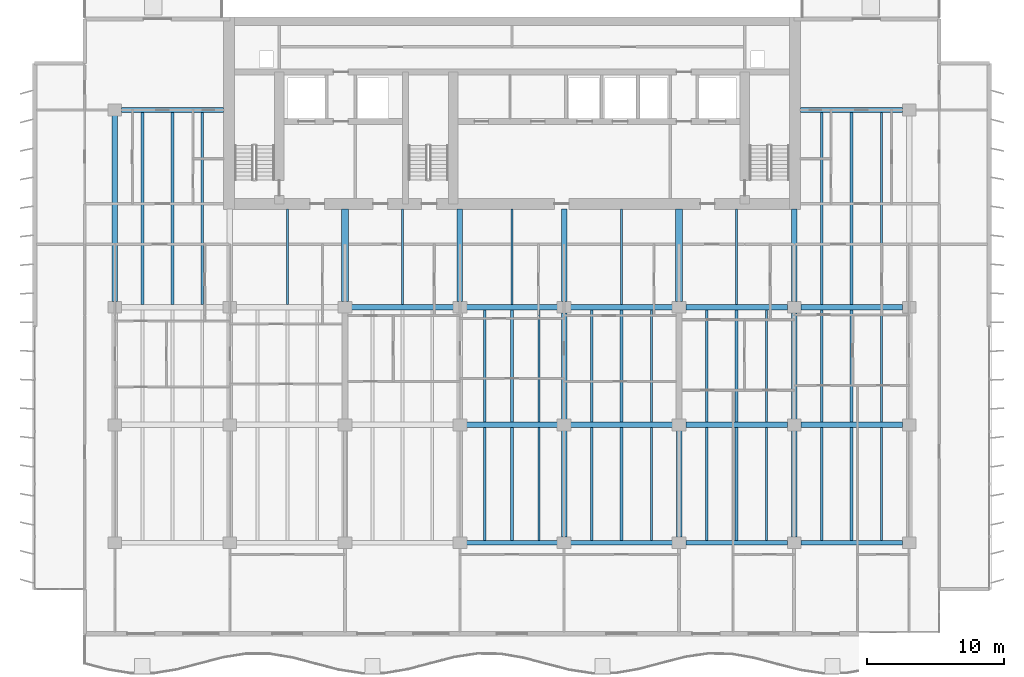
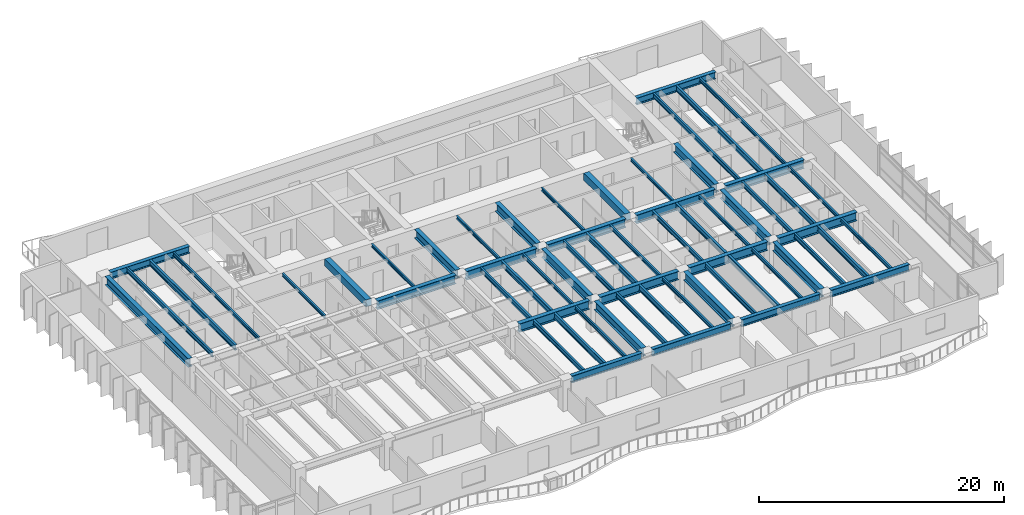
# One storey, part 3 of 15: 61 beams.
"""IFC4 building model written with IfcOpenShell, lengths in metres."""

from ifc_helpers import new_model, si_unit, direction, frame, origin, origin_2d, place, context, subcontext, project, spatial, rectangle, i_section, extrude, material, material_profile, profile_set, type_object, element, save


model = new_model("IFC4")

# Units and contexts
model_context = context("Model", 3, precision=1e-05, world=origin(), true_north=direction((0.0, 1.0)))
body_context = subcontext(model_context, "Body", "Model", "MODEL_VIEW")
ifc_project = project(units=[si_unit("LENGTHUNIT", "METRE"), si_unit("AREAUNIT", "SQUARE_METRE"), si_unit("VOLUMEUNIT", "CUBIC_METRE"), si_unit("PLANEANGLEUNIT", "RADIAN"), si_unit("MASSUNIT", "GRAM", prefix="KILO")], contexts=[model_context])

# Site, building, storey
site_placement = place(None, origin())
site = spatial("IfcSite", under=ifc_project, at=site_placement, CompositionType="ELEMENT")
building_placement = place(site_placement, origin())
building = spatial("IfcBuilding", under=site, at=building_placement, Name="Caelmar Bay Residences", CompositionType="ELEMENT")
storey_placement = place(building_placement, frame((0.0, 0.0, 135.60009765625)))
storey = spatial("IfcBuildingStorey", under=building, at=storey_placement, Name="L37", CompositionType="ELEMENT", Elevation=135.60009765625)

# Beams
ifc_material_1 = material(Name="Steel ASTM A992 Grade 50", Category="steel")
ifc_material_profile_1 = material_profile(ifc_material_1, i_section(OverallWidth=0.40087890625, OverallDepth=0.861083984375, WebThickness=0.019775390625, FlangeThickness=0.032470703125, FilletRadius=0.017822265625, at=origin_2d()), Name="W33X221")
ifc_profile_set_1 = profile_set([ifc_material_profile_1], Name="Steel ASTM A992 Grade 50")
beam_type_1 = type_object("IfcBeamType", Name="BM-GRD-W33X221", PredefinedType="BEAM", material=ifc_profile_set_1)
beam_1_placement = place(storey_placement, frame((35.590087890625, 20.800048828125, 2.619384765625), z_axis=(1.0, 0.0, 0.0), x_axis=(0.0, 1.0, 0.0)))
element("IfcBeam", 1, at=beam_1_placement, inside=storey, type_object=beam_type_1, Name="L37 East-West Girder Y=20.80 (35.1-42.7)", PredefinedType="BEAM", context=body_context, shape_type="SweptSolid", body=[
    extrude(i_section(OverallWidth=0.40087890625, OverallDepth=0.861083984375, WebThickness=0.019775390625, FlangeThickness=0.032470703125, FilletRadius=0.017822265625, at=origin_2d()), origin(), (0.0, 0.0, 1.0), 6.619873046875),
])
beam_2_placement = place(storey_placement, frame((43.18994140625, 20.800048828125, 2.619384765625), z_axis=(1.0, 0.0, 0.0), x_axis=(0.0, 1.0, 0.0)))
element("IfcBeam", 2, at=beam_2_placement, inside=storey, type_object=beam_type_1, Name="L37 East-West Girder Y=20.80 (42.7-51.1)", PredefinedType="BEAM", context=body_context, shape_type="SweptSolid", body=[
    extrude(i_section(OverallWidth=0.40087890625, OverallDepth=0.861083984375, WebThickness=0.019775390625, FlangeThickness=0.032470703125, FilletRadius=0.017822265625, at=origin_2d()), origin(), (0.0, 0.0, 1.0), 7.420166015625),
])
for number, where, z_axis, x_axis, name in (
    (3, (51.590087890625, 20.800048828125, 2.619384765625), (1.0, 0.0, 0.0), (0.0, 1.0, 0.0), "L37 East-West Girder Y=20.80 (51.1-59.5)"),
    (4, (59.989990234375, 20.800048828125, 2.619384765625), (1.0, 0.0, 0.0), (0.0, 1.0, 0.0), "L37 East-West Girder Y=20.80 (59.5-67.9)"),
):
    element("IfcBeam", number, at=place(storey_placement, frame(where, z_axis=z_axis, x_axis=x_axis)), inside=storey, type_object=beam_type_1, Name=name, PredefinedType="BEAM", context=body_context, shape_type="SweptSolid", body=[
        extrude(i_section(OverallWidth=0.40087890625, OverallDepth=0.861083984375, WebThickness=0.019775390625, FlangeThickness=0.032470703125, FilletRadius=0.017822265625, at=origin_2d()), origin(), (0.0, 0.0, 1.0), 7.419921875),
    ])
beam_3_placement = place(storey_placement, frame((27.18994140625, 29.39990234375, 2.619384765625), z_axis=(1.0, 0.0, 0.0), x_axis=(0.0, 1.0, 0.0)))
element("IfcBeam", 5, at=beam_3_placement, inside=storey, type_object=beam_type_1, Name="L37 East-West Girder Y=29.40 (26.7-35.1)", PredefinedType="BEAM", context=body_context, shape_type="SweptSolid", body=[
    extrude(i_section(OverallWidth=0.40087890625, OverallDepth=0.861083984375, WebThickness=0.019775390625, FlangeThickness=0.032470703125, FilletRadius=0.017822265625, at=origin_2d()), origin(), (0.0, 0.0, 1.0), 7.420166015625),
])
beam_4_placement = place(storey_placement, frame((35.590087890625, 29.39990234375, 2.619384765625), z_axis=(1.0, 0.0, 0.0), x_axis=(0.0, 1.0, 0.0)))
element("IfcBeam", 6, at=beam_4_placement, inside=storey, type_object=beam_type_1, Name="L37 East-West Girder Y=29.40 (35.1-42.7)", PredefinedType="BEAM", context=body_context, shape_type="SweptSolid", body=[
    extrude(i_section(OverallWidth=0.40087890625, OverallDepth=0.861083984375, WebThickness=0.019775390625, FlangeThickness=0.032470703125, FilletRadius=0.017822265625, at=origin_2d()), origin(), (0.0, 0.0, 1.0), 6.619873046875),
])
beam_5_placement = place(storey_placement, frame((43.18994140625, 29.39990234375, 2.619384765625), z_axis=(1.0, 0.0, 0.0), x_axis=(0.0, 1.0, 0.0)))
element("IfcBeam", 7, at=beam_5_placement, inside=storey, type_object=beam_type_1, Name="L37 East-West Girder Y=29.40 (42.7-51.1)", PredefinedType="BEAM", context=body_context, shape_type="SweptSolid", body=[
    extrude(i_section(OverallWidth=0.40087890625, OverallDepth=0.861083984375, WebThickness=0.019775390625, FlangeThickness=0.032470703125, FilletRadius=0.017822265625, at=origin_2d()), origin(), (0.0, 0.0, 1.0), 7.420166015625),
])
for number, where, z_axis, x_axis, name in (
    (8, (51.590087890625, 29.39990234375, 2.619384765625), (1.0, 0.0, 0.0), (0.0, 1.0, 0.0), "L37 East-West Girder Y=29.40 (51.1-59.5)"),
    (9, (59.989990234375, 29.39990234375, 2.619384765625), (1.0, 0.0, 0.0), (0.0, 1.0, 0.0), "L37 East-West Girder Y=29.40 (59.5-67.9)"),
):
    element("IfcBeam", number, at=place(storey_placement, frame(where, z_axis=z_axis, x_axis=x_axis)), inside=storey, type_object=beam_type_1, Name=name, PredefinedType="BEAM", context=body_context, shape_type="SweptSolid", body=[
        extrude(i_section(OverallWidth=0.40087890625, OverallDepth=0.861083984375, WebThickness=0.019775390625, FlangeThickness=0.032470703125, FilletRadius=0.017822265625, at=origin_2d()), origin(), (0.0, 0.0, 1.0), 7.419921875),
    ])
beam_6_placement = place(storey_placement, frame((9.89990234375, 29.81494140625, 2.619384765625), z_axis=(0.0, 1.0, 0.0), x_axis=(-1.0, 0.0, 0.0)))
element("IfcBeam", 10, at=beam_6_placement, inside=storey, type_object=beam_type_1, Name="L37 North-South Girder X=9.90 (29.4-43.8)", PredefinedType="BEAM", context=body_context, shape_type="SweptSolid", body=[
    extrude(i_section(OverallWidth=0.40087890625, OverallDepth=0.861083984375, WebThickness=0.019775390625, FlangeThickness=0.032470703125, FilletRadius=0.017822265625, at=origin_2d()), origin(), (0.0, 0.0, 1.0), 13.570068359375),
])
for number, where, z_axis, x_axis, name in (
    (11, (35.10009765625, 29.81494140625, 2.619384765625), (0.0, 1.0, 0.0), (-1.0, 0.0, 0.0), "L37 Core Tie Girder X=35.10"),
    (12, (42.699951171875, 29.81494140625, 2.619384765625), (0.0, 1.0, 0.0), (-1.0, 0.0, 0.0), "L37 Core Tie Girder X=42.70"),
):
    element("IfcBeam", number, at=place(storey_placement, frame(where, z_axis=z_axis, x_axis=x_axis)), inside=storey, type_object=beam_type_1, Name=name, PredefinedType="BEAM", context=body_context, shape_type="SweptSolid", body=[
        extrude(i_section(OverallWidth=0.40087890625, OverallDepth=0.861083984375, WebThickness=0.019775390625, FlangeThickness=0.032470703125, FilletRadius=0.017822265625, at=origin_2d()), origin(), (0.0, 0.0, 1.0), 6.735107421875),
    ])
for number, where, z_axis, x_axis, name in (
    (13, (42.699951171875, 12.614990234375, 2.619384765625), (0.0, 1.0, 0.0), (-1.0, 0.0, 0.0), "L37 North-South Girder X=42.70 (12.2-20.8)"),
    (14, (42.699951171875, 21.215087890625, 2.619384765625), (0.0, 1.0, 0.0), (-1.0, 0.0, 0.0), "L37 North-South Girder X=42.70 (20.8-29.4)"),
    (15, (51.10009765625, 12.614990234375, 2.619384765625), (0.0, 1.0, 0.0), (-1.0, 0.0, 0.0), "L37 North-South Girder X=51.10 (12.2-20.8)"),
):
    element("IfcBeam", number, at=place(storey_placement, frame(where, z_axis=z_axis, x_axis=x_axis)), inside=storey, type_object=beam_type_1, Name=name, PredefinedType="BEAM", context=body_context, shape_type="SweptSolid", body=[
        extrude(i_section(OverallWidth=0.40087890625, OverallDepth=0.861083984375, WebThickness=0.019775390625, FlangeThickness=0.032470703125, FilletRadius=0.017822265625, at=origin_2d()), origin(), (0.0, 0.0, 1.0), 7.77001953125),
    ])
beam_7_placement = place(storey_placement, frame((59.5, 29.81494140625, 2.619384765625), z_axis=(0.0, 1.0, 0.0), x_axis=(-1.0, 0.0, 0.0)))
element("IfcBeam", 16, at=beam_7_placement, inside=storey, type_object=beam_type_1, Name="L37 Core Tie Girder X=59.50", PredefinedType="BEAM", context=body_context, shape_type="SweptSolid", body=[
    extrude(i_section(OverallWidth=0.40087890625, OverallDepth=0.861083984375, WebThickness=0.019775390625, FlangeThickness=0.032470703125, FilletRadius=0.017822265625, at=origin_2d()), origin(), (0.0, 0.0, 1.0), 6.735107421875),
])
for number, where, z_axis, x_axis, name in (
    (17, (59.5, 12.614990234375, 2.619384765625), (0.0, 1.0, 0.0), (-1.0, 0.0, 0.0), "L37 North-South Girder X=59.50 (12.2-20.8)"),
    (18, (59.5, 21.215087890625, 2.619384765625), (0.0, 1.0, 0.0), (-1.0, 0.0, 0.0), "L37 North-South Girder X=59.50 (20.8-29.4)"),
):
    element("IfcBeam", number, at=place(storey_placement, frame(where, z_axis=z_axis, x_axis=x_axis)), inside=storey, type_object=beam_type_1, Name=name, PredefinedType="BEAM", context=body_context, shape_type="SweptSolid", body=[
        extrude(i_section(OverallWidth=0.40087890625, OverallDepth=0.861083984375, WebThickness=0.019775390625, FlangeThickness=0.032470703125, FilletRadius=0.017822265625, at=origin_2d()), origin(), (0.0, 0.0, 1.0), 7.77001953125),
    ])
ifc_material_profile_2 = material_profile(ifc_material_1, i_section(OverallWidth=0.1650390625, OverallDepth=0.31005859375, WebThickness=0.005859375, FlangeThickness=0.009765625, FilletRadius=0.007568359375, at=origin_2d()), Name="W12X26")
ifc_profile_set_2 = profile_set([ifc_material_profile_2], Name="Steel ASTM A992 Grade 50")
beam_type_2 = type_object("IfcBeamType", Name="BM-JST-W12X26", PredefinedType="JOIST", material=ifc_profile_set_2)
for number, where, z_axis, x_axis, name in (
    (19, (22.5, 29.6005859375, 2.89501953125), (0.0, 1.0, 0.0), (-1.0, 0.0, 0.0), "L37 Core-Band Composite Joist 43"),
    (20, (30.89990234375, 29.6005859375, 2.89501953125), (0.0, 1.0, 0.0), (-1.0, 0.0, 0.0), "L37 Core-Band Composite Joist 44"),
    (21, (38.89990234375, 29.6005859375, 2.89501953125), (0.0, 1.0, 0.0), (-1.0, 0.0, 0.0), "L37 Core-Band Composite Joist 45"),
    (22, (46.89990234375, 29.6005859375, 2.89501953125), (0.0, 1.0, 0.0), (-1.0, 0.0, 0.0), "L37 Core-Band Composite Joist 46"),
    (23, (55.300048828125, 29.6005859375, 2.89501953125), (0.0, 1.0, 0.0), (-1.0, 0.0, 0.0), "L37 Core-Band Composite Joist 47"),
):
    element("IfcBeam", number, at=place(storey_placement, frame(where, z_axis=z_axis, x_axis=x_axis)), inside=storey, type_object=beam_type_2, Name=name, PredefinedType="JOIST", context=body_context, shape_type="SweptSolid", body=[
        extrude(i_section(OverallWidth=0.1650390625, OverallDepth=0.31005859375, WebThickness=0.005859375, FlangeThickness=0.009765625, FilletRadius=0.007568359375, at=origin_2d()), origin(), (0.0, 0.0, 1.0), 6.949462890625),
    ])
ifc_material_profile_3 = material_profile(ifc_material_1, i_section(OverallWidth=0.1708984375, OverallDepth=0.35595703125, WebThickness=0.007080078125, FlangeThickness=0.01171875, FilletRadius=0.007568359375, at=origin_2d()), Name="W14X34")
ifc_profile_set_3 = profile_set([ifc_material_profile_3], Name="Steel ASTM A992 Grade 50")
beam_type_3 = type_object("IfcBeamType", Name="BM-JST-W14X34", PredefinedType="JOIST", material=ifc_profile_set_3)
for number, where, z_axis, x_axis, name in (
    (24, (40.8759765625, 12.3779296875, 2.871826171875), (0.0, 1.0, 0.0), (-1.0, 0.0, 0.0), "L37 Composite Floor Joist 12"),
    (25, (49.083984375, 12.3779296875, 2.871826171875), (0.0, 1.0, 0.0), (-1.0, 0.0, 0.0), "L37 Composite Floor Joist 15"),
    (26, (57.48388671875, 12.3779296875, 2.871826171875), (0.0, 1.0, 0.0), (-1.0, 0.0, 0.0), "L37 Composite Floor Joist 18"),
    (27, (65.884033203125, 12.3779296875, 2.871826171875), (0.0, 1.0, 0.0), (-1.0, 0.0, 0.0), "L37 Composite Floor Joist 21"),
):
    element("IfcBeam", number, at=place(storey_placement, frame(where, z_axis=z_axis, x_axis=x_axis)), inside=storey, type_object=beam_type_3, Name=name, PredefinedType="JOIST", context=body_context, shape_type="SweptSolid", body=[
        extrude(i_section(OverallWidth=0.1708984375, OverallDepth=0.35595703125, WebThickness=0.007080078125, FlangeThickness=0.01171875, FilletRadius=0.007568359375, at=origin_2d()), origin(), (0.0, 0.0, 1.0), 8.2216796875),
    ])
for number, where, z_axis, x_axis, name in (
    (28, (40.8759765625, 21.00048828125, 2.871826171875), (0.0, 1.0, 0.0), (-1.0, 0.0, 0.0), "L37 Composite Floor Joist 33"),
    (29, (49.083984375, 21.00048828125, 2.871826171875), (0.0, 1.0, 0.0), (-1.0, 0.0, 0.0), "L37 Composite Floor Joist 36"),
    (30, (57.48388671875, 21.00048828125, 2.871826171875), (0.0, 1.0, 0.0), (-1.0, 0.0, 0.0), "L37 Composite Floor Joist 39"),
    (31, (65.884033203125, 21.00048828125, 2.871826171875), (0.0, 1.0, 0.0), (-1.0, 0.0, 0.0), "L37 Composite Floor Joist 42"),
):
    element("IfcBeam", number, at=place(storey_placement, frame(where, z_axis=z_axis, x_axis=x_axis)), inside=storey, type_object=beam_type_3, Name=name, PredefinedType="JOIST", context=body_context, shape_type="SweptSolid", body=[
        extrude(i_section(OverallWidth=0.1708984375, OverallDepth=0.35595703125, WebThickness=0.007080078125, FlangeThickness=0.01171875, FilletRadius=0.007568359375, at=origin_2d()), origin(), (0.0, 0.0, 1.0), 8.198974609375),
    ])
for number, where, z_axis, x_axis, name in (
    (32, (16.283935546875, 29.6005859375, 2.871826171875), (0.0, 1.0, 0.0), (-1.0, 0.0, 0.0), "L37 Composite Floor Joist 50"),
    (33, (65.884033203125, 29.6005859375, 2.871826171875), (0.0, 1.0, 0.0), (-1.0, 0.0, 0.0), "L37 Composite Floor Joist 53"),
):
    element("IfcBeam", number, at=place(storey_placement, frame(where, z_axis=z_axis, x_axis=x_axis)), inside=storey, type_object=beam_type_3, Name=name, PredefinedType="JOIST", context=body_context, shape_type="SweptSolid", body=[
        extrude(i_section(OverallWidth=0.1708984375, OverallDepth=0.35595703125, WebThickness=0.007080078125, FlangeThickness=0.01171875, FilletRadius=0.007568359375, at=origin_2d()), origin(), (0.0, 0.0, 1.0), 14.021484375),
    ])
ifc_material_profile_4 = material_profile(ifc_material_1, i_section(OverallWidth=0.19091796875, OverallDepth=0.45703125, WebThickness=0.009033203125, FlangeThickness=0.014404296875, FilletRadius=0.01025390625, at=origin_2d()), Name="W18X50")
ifc_profile_set_4 = profile_set([ifc_material_profile_4], Name="Steel ASTM A992 Grade 50")
beam_type_4 = type_object("IfcBeamType", Name="BM-JST-W18X50", PredefinedType="JOIST", material=ifc_profile_set_4)
for number, where, z_axis, x_axis, name in (
    (34, (36.924072265625, 12.3779296875, 2.8212890625), (0.0, 1.0, 0.0), (-1.0, 0.0, 0.0), "L37 Composite Floor Joist 10"),
    (35, (44.716064453125, 12.3779296875, 2.8212890625), (0.0, 1.0, 0.0), (-1.0, 0.0, 0.0), "L37 Composite Floor Joist 13"),
    (36, (53.115966796875, 12.3779296875, 2.8212890625), (0.0, 1.0, 0.0), (-1.0, 0.0, 0.0), "L37 Composite Floor Joist 16"),
    (37, (61.51611328125, 12.3779296875, 2.8212890625), (0.0, 1.0, 0.0), (-1.0, 0.0, 0.0), "L37 Composite Floor Joist 19"),
):
    element("IfcBeam", number, at=place(storey_placement, frame(where, z_axis=z_axis, x_axis=x_axis)), inside=storey, type_object=beam_type_4, Name=name, PredefinedType="JOIST", context=body_context, shape_type="SweptSolid", body=[
        extrude(i_section(OverallWidth=0.19091796875, OverallDepth=0.45703125, WebThickness=0.009033203125, FlangeThickness=0.014404296875, FilletRadius=0.01025390625, at=origin_2d()), origin(), (0.0, 0.0, 1.0), 8.2216796875),
    ])
for number, where, z_axis, x_axis, name in (
    (38, (36.924072265625, 21.00048828125, 2.8212890625), (0.0, 1.0, 0.0), (-1.0, 0.0, 0.0), "L37 Composite Floor Joist 31"),
    (39, (44.716064453125, 21.00048828125, 2.8212890625), (0.0, 1.0, 0.0), (-1.0, 0.0, 0.0), "L37 Composite Floor Joist 34"),
    (40, (53.115966796875, 21.00048828125, 2.8212890625), (0.0, 1.0, 0.0), (-1.0, 0.0, 0.0), "L37 Composite Floor Joist 37"),
    (41, (61.51611328125, 21.00048828125, 2.8212890625), (0.0, 1.0, 0.0), (-1.0, 0.0, 0.0), "L37 Composite Floor Joist 40"),
):
    element("IfcBeam", number, at=place(storey_placement, frame(where, z_axis=z_axis, x_axis=x_axis)), inside=storey, type_object=beam_type_4, Name=name, PredefinedType="JOIST", context=body_context, shape_type="SweptSolid", body=[
        extrude(i_section(OverallWidth=0.19091796875, OverallDepth=0.45703125, WebThickness=0.009033203125, FlangeThickness=0.014404296875, FilletRadius=0.01025390625, at=origin_2d()), origin(), (0.0, 0.0, 1.0), 8.198974609375),
    ])
for number, where, z_axis, x_axis, name in (
    (42, (11.916015625, 29.6005859375, 2.8212890625), (0.0, 1.0, 0.0), (-1.0, 0.0, 0.0), "L37 Composite Floor Joist 48"),
    (43, (61.51611328125, 29.6005859375, 2.8212890625), (0.0, 1.0, 0.0), (-1.0, 0.0, 0.0), "L37 Composite Floor Joist 51"),
):
    element("IfcBeam", number, at=place(storey_placement, frame(where, z_axis=z_axis, x_axis=x_axis)), inside=storey, type_object=beam_type_4, Name=name, PredefinedType="JOIST", context=body_context, shape_type="SweptSolid", body=[
        extrude(i_section(OverallWidth=0.19091796875, OverallDepth=0.45703125, WebThickness=0.009033203125, FlangeThickness=0.014404296875, FilletRadius=0.01025390625, at=origin_2d()), origin(), (0.0, 0.0, 1.0), 14.021484375),
    ])
ifc_material_profile_5 = material_profile(ifc_material_1, i_section(OverallWidth=0.214111328125, OverallDepth=0.549072265625, WebThickness=0.0146484375, FlangeThickness=0.023681640625, FilletRadius=0.0126953125, at=origin_2d()), Name="W21X93")
ifc_profile_set_5 = profile_set([ifc_material_profile_5], Name="Steel ASTM A992 Grade 50")
beam_type_5 = type_object("IfcBeamType", Name="BM-JST-W21X93", PredefinedType="JOIST", material=ifc_profile_set_5)
for number, where, z_axis, x_axis, name in (
    (44, (38.89990234375, 12.3779296875, 2.775390625), (0.0, 1.0, 0.0), (-1.0, 0.0, 0.0), "L37 Composite Floor Joist 11"),
    (45, (46.89990234375, 12.3779296875, 2.775390625), (0.0, 1.0, 0.0), (-1.0, 0.0, 0.0), "L37 Composite Floor Joist 14"),
    (46, (55.300048828125, 12.3779296875, 2.775390625), (0.0, 1.0, 0.0), (-1.0, 0.0, 0.0), "L37 Composite Floor Joist 17"),
    (47, (63.699951171875, 12.3779296875, 2.775390625), (0.0, 1.0, 0.0), (-1.0, 0.0, 0.0), "L37 Composite Floor Joist 20"),
):
    element("IfcBeam", number, at=place(storey_placement, frame(where, z_axis=z_axis, x_axis=x_axis)), inside=storey, type_object=beam_type_5, Name=name, PredefinedType="JOIST", context=body_context, shape_type="SweptSolid", body=[
        extrude(i_section(OverallWidth=0.214111328125, OverallDepth=0.549072265625, WebThickness=0.0146484375, FlangeThickness=0.023681640625, FilletRadius=0.0126953125, at=origin_2d()), origin(), (0.0, 0.0, 1.0), 8.2216796875),
    ])
for number, where, z_axis, x_axis, name in (
    (48, (38.89990234375, 21.00048828125, 2.775390625), (0.0, 1.0, 0.0), (-1.0, 0.0, 0.0), "L37 Composite Floor Joist 32"),
    (49, (46.89990234375, 21.00048828125, 2.775390625), (0.0, 1.0, 0.0), (-1.0, 0.0, 0.0), "L37 Composite Floor Joist 35"),
    (50, (55.300048828125, 21.00048828125, 2.775390625), (0.0, 1.0, 0.0), (-1.0, 0.0, 0.0), "L37 Composite Floor Joist 38"),
    (51, (63.699951171875, 21.00048828125, 2.775390625), (0.0, 1.0, 0.0), (-1.0, 0.0, 0.0), "L37 Composite Floor Joist 41"),
):
    element("IfcBeam", number, at=place(storey_placement, frame(where, z_axis=z_axis, x_axis=x_axis)), inside=storey, type_object=beam_type_5, Name=name, PredefinedType="JOIST", context=body_context, shape_type="SweptSolid", body=[
        extrude(i_section(OverallWidth=0.214111328125, OverallDepth=0.549072265625, WebThickness=0.0146484375, FlangeThickness=0.023681640625, FilletRadius=0.0126953125, at=origin_2d()), origin(), (0.0, 0.0, 1.0), 8.198974609375),
    ])
for number, where, z_axis, x_axis, name in (
    (52, (14.10009765625, 29.6005859375, 2.775390625), (0.0, 1.0, 0.0), (-1.0, 0.0, 0.0), "L37 Composite Floor Joist 49"),
    (53, (63.699951171875, 29.6005859375, 2.775390625), (0.0, 1.0, 0.0), (-1.0, 0.0, 0.0), "L37 Composite Floor Joist 52"),
):
    element("IfcBeam", number, at=place(storey_placement, frame(where, z_axis=z_axis, x_axis=x_axis)), inside=storey, type_object=beam_type_5, Name=name, PredefinedType="JOIST", context=body_context, shape_type="SweptSolid", body=[
        extrude(i_section(OverallWidth=0.214111328125, OverallDepth=0.549072265625, WebThickness=0.0146484375, FlangeThickness=0.023681640625, FilletRadius=0.0126953125, at=origin_2d()), origin(), (0.0, 0.0, 1.0), 14.021484375),
    ])
ifc_material_2 = material(Name="Concrete f'c 55 MPa (8,000 psi)", Category="concrete")
ifc_material_profile_6 = material_profile(ifc_material_2, rectangle(XDim=0.5, YDim=0.699951171875, at=origin_2d()), Name="RC-BM-500X700")
ifc_profile_set_6 = profile_set([ifc_material_profile_6], Name="Concrete f'c 55 MPa (8,000 psi)")
beam_type_6 = type_object("IfcBeamType", Name="BM-RC-500X700", PredefinedType="LINTEL", material=ifc_profile_set_6)
for number, where, z_axis, x_axis, name in (
    (54, (26.699951171875, 29.81494140625, 2.699951171875), (0.0, 1.0, 0.0), (-1.0, 0.0, 0.0), "L37 Shear-Wall Corridor Coupling Lintel W5"),
    (55, (51.10009765625, 29.81494140625, 2.699951171875), (0.0, 1.0, 0.0), (-1.0, 0.0, 0.0), "L37 Shear-Wall Corridor Coupling Lintel E8"),
):
    element("IfcBeam", number, at=place(storey_placement, frame(where, z_axis=z_axis, x_axis=x_axis)), inside=storey, type_object=beam_type_6, Name=name, PredefinedType="LINTEL", context=body_context, shape_type="SweptSolid", body=[
        extrude(rectangle(XDim=0.5, YDim=0.699951171875, at=origin_2d()), origin(), (0.0, 0.0, 1.0), 6.735107421875),
    ])
ifc_material_profile_7 = material_profile(ifc_material_1, i_section(OverallWidth=0.35595703125, OverallDepth=0.696044921875, WebThickness=0.015380859375, FlangeThickness=0.02490234375, FilletRadius=0.01513671875, at=origin_2d()), Name="W27X146")
ifc_profile_set_7 = profile_set([ifc_material_profile_7], Name="Steel ASTM A992 Grade 50")
beam_type_7 = type_object("IfcBeamType", Name="BM-SPN-W27X146", PredefinedType="SPANDREL", material=ifc_profile_set_7)
beam_8_placement = place(storey_placement, frame((35.590087890625, 12.199951171875, 2.701904296875), z_axis=(1.0, 0.0, 0.0), x_axis=(0.0, 1.0, 0.0)))
element("IfcBeam", 56, at=beam_8_placement, inside=storey, type_object=beam_type_7, Name="L37 East-West Girder Y=12.20 (35.1-42.7)", PredefinedType="SPANDREL", context=body_context, shape_type="SweptSolid", body=[
    extrude(i_section(OverallWidth=0.35595703125, OverallDepth=0.696044921875, WebThickness=0.015380859375, FlangeThickness=0.02490234375, FilletRadius=0.01513671875, at=origin_2d()), origin(), (0.0, 0.0, 1.0), 6.619873046875),
])
beam_9_placement = place(storey_placement, frame((43.18994140625, 12.199951171875, 2.701904296875), z_axis=(1.0, 0.0, 0.0), x_axis=(0.0, 1.0, 0.0)))
element("IfcBeam", 57, at=beam_9_placement, inside=storey, type_object=beam_type_7, Name="L37 East-West Girder Y=12.20 (42.7-51.1)", PredefinedType="SPANDREL", context=body_context, shape_type="SweptSolid", body=[
    extrude(i_section(OverallWidth=0.35595703125, OverallDepth=0.696044921875, WebThickness=0.015380859375, FlangeThickness=0.02490234375, FilletRadius=0.01513671875, at=origin_2d()), origin(), (0.0, 0.0, 1.0), 7.420166015625),
])
for number, where, z_axis, x_axis, name in (
    (58, (51.590087890625, 12.199951171875, 2.701904296875), (1.0, 0.0, 0.0), (0.0, 1.0, 0.0), "L37 East-West Girder Y=12.20 (51.1-59.5)"),
    (59, (59.989990234375, 12.199951171875, 2.701904296875), (1.0, 0.0, 0.0), (0.0, 1.0, 0.0), "L37 East-West Girder Y=12.20 (59.5-67.9)"),
):
    element("IfcBeam", number, at=place(storey_placement, frame(where, z_axis=z_axis, x_axis=x_axis)), inside=storey, type_object=beam_type_7, Name=name, PredefinedType="SPANDREL", context=body_context, shape_type="SweptSolid", body=[
        extrude(i_section(OverallWidth=0.35595703125, OverallDepth=0.696044921875, WebThickness=0.015380859375, FlangeThickness=0.02490234375, FilletRadius=0.01513671875, at=origin_2d()), origin(), (0.0, 0.0, 1.0), 7.419921875),
    ])
beam_10_placement = place(storey_placement, frame((10.389892578125, 43.800048828125, 2.701904296875), z_axis=(1.0, 0.0, 0.0), x_axis=(0.0, 1.0, 0.0)))
element("IfcBeam", 60, at=beam_10_placement, inside=storey, type_object=beam_type_7, Name="L37 North-West Wing Core Tie Girder", PredefinedType="SPANDREL", context=body_context, shape_type="SweptSolid", body=[
    extrude(i_section(OverallWidth=0.35595703125, OverallDepth=0.696044921875, WebThickness=0.015380859375, FlangeThickness=0.02490234375, FilletRadius=0.01513671875, at=origin_2d()), origin(), (0.0, 0.0, 1.0), 7.460205078125),
])
beam_11_placement = place(storey_placement, frame((59.949951171875, 43.800048828125, 2.701904296875), z_axis=(1.0, 0.0, 0.0), x_axis=(0.0, 1.0, 0.0)))
element("IfcBeam", 61, at=beam_11_placement, inside=storey, type_object=beam_type_7, Name="L37 North-East Wing Core Tie Girder", PredefinedType="SPANDREL", context=body_context, shape_type="SweptSolid", body=[
    extrude(i_section(OverallWidth=0.35595703125, OverallDepth=0.696044921875, WebThickness=0.015380859375, FlangeThickness=0.02490234375, FilletRadius=0.01513671875, at=origin_2d()), origin(), (0.0, 0.0, 1.0), 7.4599609375),
])

save(model, "model.ifc")
